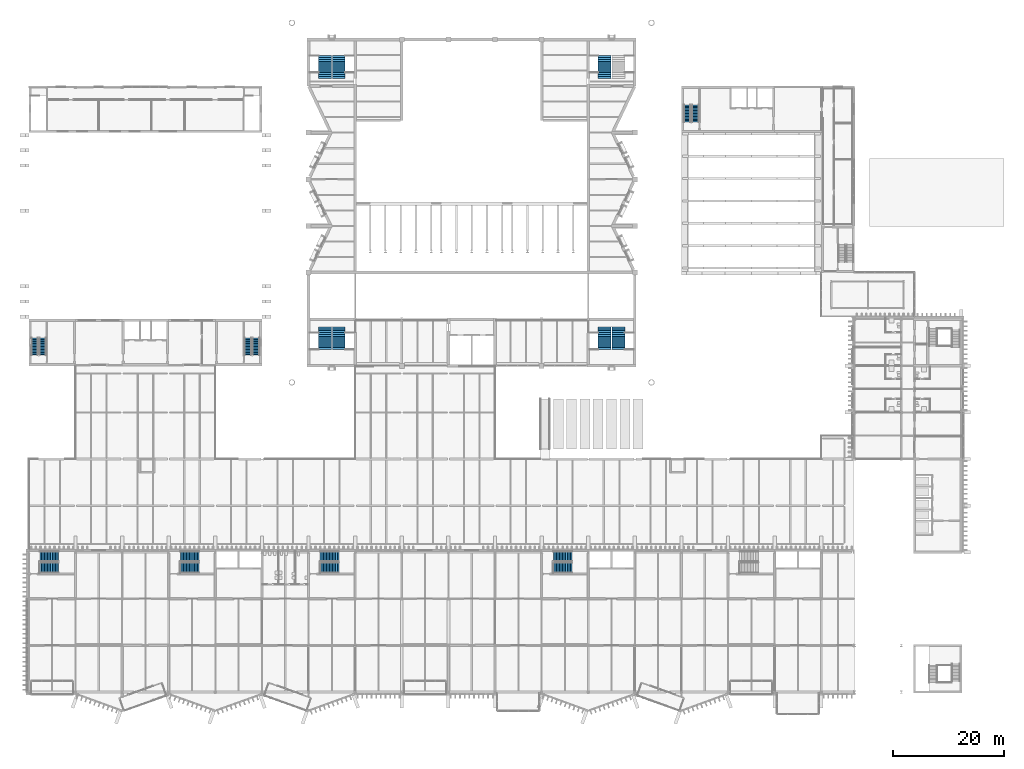
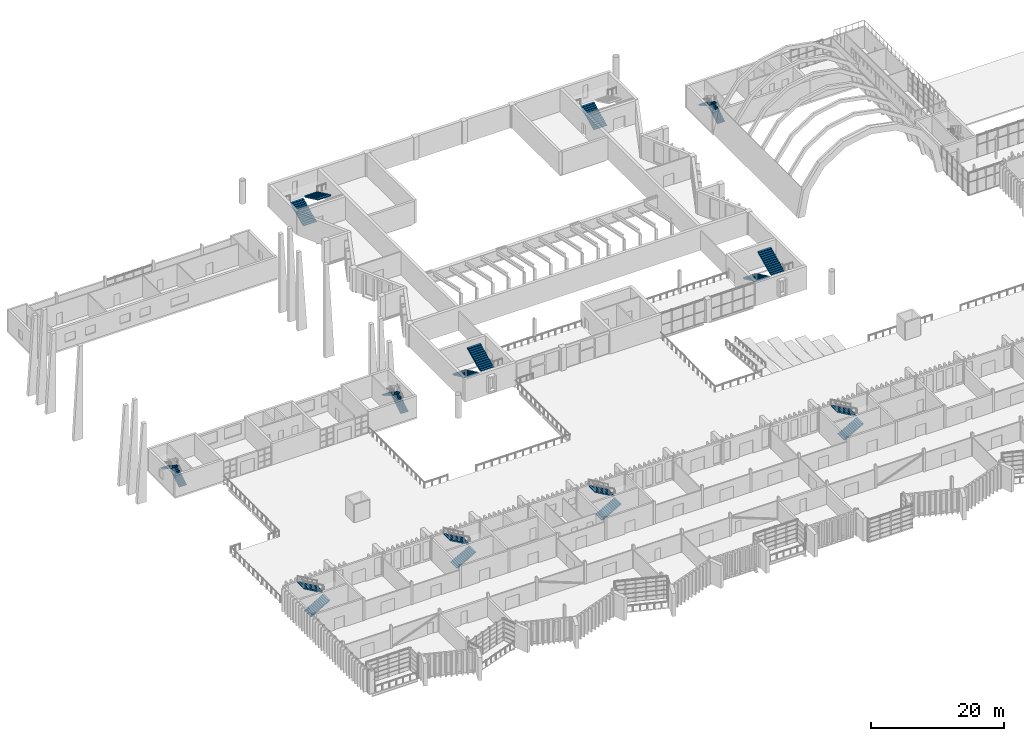
# One storey, part 73 of 96: 21 stair flights, 11 elements without a shape of their own.
"""IFC4 building model written with IfcOpenShell, lengths in metres."""

from ifc_helpers import new_model, si_unit, direction, frame, origin, place, context, subcontext, project, spatial, polyline, outline, extrude, material, type_object, element, aggregate, save


model = new_model("IFC4")

# Units and contexts
model_context = context("Model", 3, precision=1e-05, world=origin(), true_north=direction((0.0, 1.0)))
body_context = subcontext(model_context, "Body", "Model", "MODEL_VIEW")
ifc_project = project(units=[si_unit("LENGTHUNIT", "METRE"), si_unit("AREAUNIT", "SQUARE_METRE"), si_unit("VOLUMEUNIT", "CUBIC_METRE"), si_unit("PLANEANGLEUNIT", "RADIAN"), si_unit("MASSUNIT", "GRAM", prefix="KILO")], contexts=[model_context])

# Site, building, storey
site_placement = place(None, origin())
site = spatial("IfcSite", under=ifc_project, at=site_placement, CompositionType="ELEMENT")
building_placement = place(site_placement, origin())
building = spatial("IfcBuilding", under=site, at=building_placement, Name="Cresset Court Congress Hotel", CompositionType="ELEMENT")
storey_placement = place(building_placement, frame((0.0, 0.0, 6.0)))
storey = spatial("IfcBuildingStorey", under=building, at=storey_placement, Name="L01", CompositionType="ELEMENT", Elevation=6.0)

# Stair, stair flights
ifc_material_1 = material(Name="Concrete C40", Category="concrete")
stair_type_1 = type_object("IfcStairType", Name="Core stair", PredefinedType="STRAIGHT_RUN_STAIR", material=ifc_material_1)
stair_1_placement = place(storey_placement, origin())
stair_1 = element("IfcStair", 1, at=stair_1_placement, inside=storey, type_object=stair_type_1, Name="Stair ST-C1 L01", PredefinedType="STRAIGHT_RUN_STAIR")
ifc_material_2 = material(Name="Concrete C40", Category="concrete")
stair_flight_type_1 = type_object("IfcStairFlightType", Name="Core stair flight", PredefinedType="STRAIGHT", material=ifc_material_2)
stair_flight_1_placement = place(storey_placement, frame((61.75, 65.800048828125, 0.0), z_axis=(0.0, 0.0, 1.0), x_axis=(0.0, -1.0, 0.0)))
stair_flight_1 = element("IfcStairFlight", 2, at=stair_flight_1_placement, type_object=stair_flight_type_1, Name="C-ST flight 1", NumberOfRisers=13, NumberOfTreads=12, PredefinedType="STRAIGHT", RiserHeight=0.161538462, TreadLength=0.34, context=body_context, shape_type="SweptSolid", body=[
    extrude(outline(polyline([(0.0, 0.0), (0.0, 0.16162109375), (0.340087890625, 0.16162109375), (0.340087890625, 0.322998046875), (0.679931640625, 0.322998046875), (0.679931640625, 0.484619140625), (1.02001953125, 0.484619140625), (1.02001953125, 0.646240234375), (1.360107421875, 0.646240234375), (1.360107421875, 0.8076171875), (1.699951171875, 0.8076171875), (1.699951171875, 0.96923828125), (2.0400390625, 0.96923828125), (2.0400390625, 1.130859375), (2.3798828125, 1.130859375), (2.3798828125, 1.292236328125), (2.719970703125, 1.292236328125), (2.719970703125, 1.453857421875), (3.06005859375, 1.453857421875), (3.06005859375, 1.615478515625), (3.39990234375, 1.615478515625), (3.39990234375, 1.77685546875), (3.739990234375, 1.77685546875), (3.739990234375, 1.9384765625), (4.080078125, 1.9384765625), (4.080078125, 2.10009765625), (4.080078125, 1.7724609375), (0.349365234375, 0.0), (0.0, 0.0)])), frame((0.0, 1.14990234375, 0.0), z_axis=(0.0, -1.0, 0.0), x_axis=(1.0, 0.0, 0.0)), (0.0, 0.0, 1.0), 2.300048828125),
])
stair_flight_2_placement = place(storey_placement, frame((64.25, 61.719970703125, 2.10009765625), z_axis=(0.0, 0.0, 1.0), x_axis=(0.0, 1.0, 0.0)))
stair_flight_2 = element("IfcStairFlight", 3, at=stair_flight_2_placement, type_object=stair_flight_type_1, Name="C-ST flight 2", NumberOfRisers=13, NumberOfTreads=12, PredefinedType="STRAIGHT", RiserHeight=0.161538462, TreadLength=0.34, context=body_context, shape_type="SweptSolid", body=[
    extrude(outline(polyline([(0.0, 0.0), (0.0, 0.16162109375), (0.340087890625, 0.16162109375), (0.340087890625, 0.322998046875), (0.679931640625, 0.322998046875), (0.679931640625, 0.484619140625), (1.02001953125, 0.484619140625), (1.02001953125, 0.646240234375), (1.360107421875, 0.646240234375), (1.360107421875, 0.8076171875), (1.699951171875, 0.8076171875), (1.699951171875, 0.96923828125), (2.0400390625, 0.96923828125), (2.0400390625, 1.130859375), (2.3798828125, 1.130859375), (2.3798828125, 1.292236328125), (2.719970703125, 1.292236328125), (2.719970703125, 1.453857421875), (3.06005859375, 1.453857421875), (3.06005859375, 1.615478515625), (3.39990234375, 1.615478515625), (3.39990234375, 1.77685546875), (3.739990234375, 1.77685546875), (3.739990234375, 1.9384765625), (4.080078125, 1.9384765625), (4.080078125, 2.10009765625), (4.080078125, 1.7724609375), (0.349365234375, 0.0), (0.0, 0.0)])), frame((0.0, 1.14990234375, 0.0), z_axis=(0.0, -1.0, 0.0), x_axis=(1.0, 0.0, 0.0)), (0.0, 0.0, 1.0), 2.300048828125),
])
aggregate(stair_1, [stair_flight_1, stair_flight_2])

stair_2_placement = place(storey_placement, origin())
stair_2 = element("IfcStair", 4, at=stair_2_placement, inside=storey, type_object=stair_type_1, Name="Stair ST-C2 L01", PredefinedType="STRAIGHT_RUN_STAIR")
stair_flight_3_placement = place(storey_placement, frame((112.14990234375, 65.800048828125, 0.0), z_axis=(0.0, 0.0, 1.0), x_axis=(0.0, -1.0, 0.0)))
stair_flight_3 = element("IfcStairFlight", 5, at=stair_flight_3_placement, type_object=stair_flight_type_1, Name="C-ST flight 1", NumberOfRisers=13, NumberOfTreads=12, PredefinedType="STRAIGHT", RiserHeight=0.161538462, TreadLength=0.34, context=body_context, shape_type="SweptSolid", body=[
    extrude(outline(polyline([(0.0, 0.0), (0.0, 0.16162109375), (0.340087890625, 0.16162109375), (0.340087890625, 0.322998046875), (0.679931640625, 0.322998046875), (0.679931640625, 0.484619140625), (1.02001953125, 0.484619140625), (1.02001953125, 0.646240234375), (1.360107421875, 0.646240234375), (1.360107421875, 0.8076171875), (1.699951171875, 0.8076171875), (1.699951171875, 0.96923828125), (2.0400390625, 0.96923828125), (2.0400390625, 1.130859375), (2.3798828125, 1.130859375), (2.3798828125, 1.292236328125), (2.719970703125, 1.292236328125), (2.719970703125, 1.453857421875), (3.06005859375, 1.453857421875), (3.06005859375, 1.615478515625), (3.39990234375, 1.615478515625), (3.39990234375, 1.77685546875), (3.739990234375, 1.77685546875), (3.739990234375, 1.9384765625), (4.080078125, 1.9384765625), (4.080078125, 2.10009765625), (4.080078125, 1.7724609375), (0.349365234375, 0.0), (0.0, 0.0)])), frame((0.0, 1.14990234375, 0.0), z_axis=(0.0, -1.0, 0.0), x_axis=(1.0, 0.0, 0.0)), (0.0, 0.0, 1.0), 2.300048828125),
])
stair_flight_4_placement = place(storey_placement, frame((114.64990234375, 61.719970703125, 2.10009765625), z_axis=(0.0, 0.0, 1.0), x_axis=(0.0, 1.0, 0.0)))
stair_flight_4 = element("IfcStairFlight", 6, at=stair_flight_4_placement, type_object=stair_flight_type_1, Name="C-ST flight 2", NumberOfRisers=13, NumberOfTreads=12, PredefinedType="STRAIGHT", RiserHeight=0.161538462, TreadLength=0.34, context=body_context, shape_type="SweptSolid", body=[
    extrude(outline(polyline([(0.0, 0.0), (0.0, 0.16162109375), (0.340087890625, 0.16162109375), (0.340087890625, 0.322998046875), (0.679931640625, 0.322998046875), (0.679931640625, 0.484619140625), (1.02001953125, 0.484619140625), (1.02001953125, 0.646240234375), (1.360107421875, 0.646240234375), (1.360107421875, 0.8076171875), (1.699951171875, 0.8076171875), (1.699951171875, 0.96923828125), (2.0400390625, 0.96923828125), (2.0400390625, 1.130859375), (2.3798828125, 1.130859375), (2.3798828125, 1.292236328125), (2.719970703125, 1.292236328125), (2.719970703125, 1.453857421875), (3.06005859375, 1.453857421875), (3.06005859375, 1.615478515625), (3.39990234375, 1.615478515625), (3.39990234375, 1.77685546875), (3.739990234375, 1.77685546875), (3.739990234375, 1.9384765625), (4.080078125, 1.9384765625), (4.080078125, 2.10009765625), (4.080078125, 1.7724609375), (0.349365234375, 0.0), (0.0, 0.0)])), frame((0.0, 1.14990234375, 0.0), z_axis=(0.0, -1.0, 0.0), x_axis=(1.0, 0.0, 0.0)), (0.0, 0.0, 1.0), 2.300048828125),
])
aggregate(stair_2, [stair_flight_3, stair_flight_4])

stair_3_placement = place(storey_placement, origin())
stair_3 = element("IfcStair", 7, at=stair_3_placement, inside=storey, type_object=stair_type_1, Name="Stair ST-C3 L01", PredefinedType="STRAIGHT_RUN_STAIR")
stair_flight_5_placement = place(storey_placement, frame((61.75, 110.60009765625, 0.0), z_axis=(0.0, 0.0, 1.0), x_axis=(0.0, 1.0, 0.0)))
stair_flight_5 = element("IfcStairFlight", 8, at=stair_flight_5_placement, type_object=stair_flight_type_1, Name="C-ST flight 1", NumberOfRisers=13, NumberOfTreads=12, PredefinedType="STRAIGHT", RiserHeight=0.161538462, TreadLength=0.34, context=body_context, shape_type="SweptSolid", body=[
    extrude(outline(polyline([(0.0, 0.0), (0.0, 0.16162109375), (0.340087890625, 0.16162109375), (0.340087890625, 0.322998046875), (0.679931640625, 0.322998046875), (0.679931640625, 0.484619140625), (1.02001953125, 0.484619140625), (1.02001953125, 0.646240234375), (1.360107421875, 0.646240234375), (1.360107421875, 0.8076171875), (1.699951171875, 0.8076171875), (1.699951171875, 0.96923828125), (2.0400390625, 0.96923828125), (2.0400390625, 1.130859375), (2.3798828125, 1.130859375), (2.3798828125, 1.292236328125), (2.719970703125, 1.292236328125), (2.719970703125, 1.453857421875), (3.06005859375, 1.453857421875), (3.06005859375, 1.615478515625), (3.39990234375, 1.615478515625), (3.39990234375, 1.77685546875), (3.739990234375, 1.77685546875), (3.739990234375, 1.9384765625), (4.080078125, 1.9384765625), (4.080078125, 2.10009765625), (4.080078125, 1.7724609375), (0.349365234375, 0.0), (0.0, 0.0)])), frame((0.0, 1.14990234375, 0.0), z_axis=(0.0, -1.0, 0.0), x_axis=(1.0, 0.0, 0.0)), (0.0, 0.0, 1.0), 2.300048828125),
])
stair_flight_6_placement = place(storey_placement, frame((64.25, 114.679931640625, 2.10009765625), z_axis=(0.0, 0.0, 1.0), x_axis=(0.0, -1.0, 0.0)))
stair_flight_6 = element("IfcStairFlight", 9, at=stair_flight_6_placement, type_object=stair_flight_type_1, Name="C-ST flight 2", NumberOfRisers=13, NumberOfTreads=12, PredefinedType="STRAIGHT", RiserHeight=0.161538462, TreadLength=0.34, context=body_context, shape_type="SweptSolid", body=[
    extrude(outline(polyline([(0.0, 0.0), (0.0, 0.16162109375), (0.340087890625, 0.16162109375), (0.340087890625, 0.322998046875), (0.679931640625, 0.322998046875), (0.679931640625, 0.484619140625), (1.02001953125, 0.484619140625), (1.02001953125, 0.646240234375), (1.360107421875, 0.646240234375), (1.360107421875, 0.8076171875), (1.699951171875, 0.8076171875), (1.699951171875, 0.96923828125), (2.0400390625, 0.96923828125), (2.0400390625, 1.130859375), (2.3798828125, 1.130859375), (2.3798828125, 1.292236328125), (2.719970703125, 1.292236328125), (2.719970703125, 1.453857421875), (3.06005859375, 1.453857421875), (3.06005859375, 1.615478515625), (3.39990234375, 1.615478515625), (3.39990234375, 1.77685546875), (3.739990234375, 1.77685546875), (3.739990234375, 1.9384765625), (4.080078125, 1.9384765625), (4.080078125, 2.10009765625), (4.080078125, 1.7724609375), (0.349365234375, 0.0), (0.0, 0.0)])), frame((0.0, 1.14990234375, 0.0), z_axis=(0.0, -1.0, 0.0), x_axis=(1.0, 0.0, 0.0)), (0.0, 0.0, 1.0), 2.300048828125),
])
aggregate(stair_3, [stair_flight_5, stair_flight_6])

# Stair, stair flight
stair_4_placement = place(storey_placement, origin())
stair_4 = element("IfcStair", 10, at=stair_4_placement, inside=storey, type_object=stair_type_1, Name="Stair ST-C4 L01", PredefinedType="STRAIGHT_RUN_STAIR")
stair_flight_7_placement = place(storey_placement, frame((112.14990234375, 110.60009765625, 0.0), z_axis=(0.0, 0.0, 1.0), x_axis=(0.0, 1.0, 0.0)))
stair_flight_7 = element("IfcStairFlight", 11, at=stair_flight_7_placement, type_object=stair_flight_type_1, Name="C-ST flight 1", NumberOfRisers=13, NumberOfTreads=12, PredefinedType="STRAIGHT", RiserHeight=0.161538462, TreadLength=0.34, context=body_context, shape_type="SweptSolid", body=[
    extrude(outline(polyline([(0.0, 0.0), (0.0, 0.16162109375), (0.340087890625, 0.16162109375), (0.340087890625, 0.322998046875), (0.679931640625, 0.322998046875), (0.679931640625, 0.484619140625), (1.02001953125, 0.484619140625), (1.02001953125, 0.646240234375), (1.360107421875, 0.646240234375), (1.360107421875, 0.8076171875), (1.699951171875, 0.8076171875), (1.699951171875, 0.96923828125), (2.0400390625, 0.96923828125), (2.0400390625, 1.130859375), (2.3798828125, 1.130859375), (2.3798828125, 1.292236328125), (2.719970703125, 1.292236328125), (2.719970703125, 1.453857421875), (3.06005859375, 1.453857421875), (3.06005859375, 1.615478515625), (3.39990234375, 1.615478515625), (3.39990234375, 1.77685546875), (3.739990234375, 1.77685546875), (3.739990234375, 1.9384765625), (4.080078125, 1.9384765625), (4.080078125, 2.10009765625), (4.080078125, 1.7724609375), (0.349365234375, 0.0), (0.0, 0.0)])), frame((0.0, 1.14990234375, 0.0), z_axis=(0.0, -1.0, 0.0), x_axis=(1.0, 0.0, 0.0)), (0.0, 0.0, 1.0), 2.300048828125),
])
aggregate(stair_4, [stair_flight_7])

# Stair, stair flights
ifc_material_3 = material(Name="Half-turn stair 1300")
stair_type_2 = type_object("IfcStairType", Name="Half-turn stair 1300", PredefinedType="HALF_TURN_STAIR", material=ifc_material_3)
stair_5_placement = place(storey_placement, origin())
stair_5 = element("IfcStair", 12, at=stair_5_placement, inside=storey, type_object=stair_type_2, Name="L01 stair", PredefinedType="HALF_TURN_STAIR")
ifc_material_4 = material(Name="Stair flight 1300")
stair_flight_type_2 = type_object("IfcStairFlightType", Name="Stair flight 1300", PredefinedType="STRAIGHT", material=ifc_material_4)
stair_flight_8_placement = place(storey_placement, frame((10.89990234375, 60.699951171875, 0.0), z_axis=(0.0, 0.0, 1.0), x_axis=(0.0, 1.0, 0.0)))
stair_flight_8 = element("IfcStairFlight", 13, at=stair_flight_8_placement, type_object=stair_flight_type_2, Name="ST-D1 flight 1", NumberOfRisers=13, NumberOfTreads=12, PredefinedType="STRAIGHT", RiserHeight=0.161538462, TreadLength=0.26, context=body_context, shape_type="SweptSolid", body=[
    extrude(outline(polyline([(0.0, 0.0), (0.0, 0.16162109375), (0.260009765625, 0.16162109375), (0.260009765625, 0.322998046875), (0.52001953125, 0.322998046875), (0.52001953125, 0.484619140625), (0.780029296875, 0.484619140625), (0.780029296875, 0.646240234375), (1.0400390625, 0.646240234375), (1.0400390625, 0.8076171875), (1.300048828125, 0.8076171875), (1.300048828125, 0.96923828125), (1.56005859375, 0.96923828125), (1.56005859375, 1.130859375), (1.820068359375, 1.130859375), (1.820068359375, 1.292236328125), (2.080078125, 1.292236328125), (2.080078125, 1.453857421875), (2.340087890625, 1.453857421875), (2.340087890625, 1.615478515625), (2.60009765625, 1.615478515625), (2.60009765625, 1.77685546875), (2.860107421875, 1.77685546875), (2.860107421875, 1.9384765625), (3.1201171875, 1.9384765625), (3.1201171875, 2.10009765625), (3.1201171875, 1.761962890625), (0.283935546875, 0.0), (0.0, 0.0)])), frame((0.0, 0.64990234375, 0.0), z_axis=(0.0, -1.0, 0.0), x_axis=(1.0, 0.0, 0.0)), (0.0, 0.0, 1.0), 1.300048828125),
])
stair_flight_9_placement = place(storey_placement, frame((9.449951171875, 63.820068359375, 2.10009765625), z_axis=(0.0, 0.0, 1.0), x_axis=(0.0, -1.0, 0.0)))
stair_flight_9 = element("IfcStairFlight", 14, at=stair_flight_9_placement, type_object=stair_flight_type_2, Name="ST-D1 flight 2", NumberOfRisers=13, NumberOfTreads=12, PredefinedType="STRAIGHT", RiserHeight=0.161538462, TreadLength=0.26, context=body_context, shape_type="SweptSolid", body=[
    extrude(outline(polyline([(0.0, 0.0), (0.0, 0.16162109375), (0.260009765625, 0.16162109375), (0.260009765625, 0.322998046875), (0.52001953125, 0.322998046875), (0.52001953125, 0.484619140625), (0.780029296875, 0.484619140625), (0.780029296875, 0.646240234375), (1.0400390625, 0.646240234375), (1.0400390625, 0.8076171875), (1.300048828125, 0.8076171875), (1.300048828125, 0.96923828125), (1.56005859375, 0.96923828125), (1.56005859375, 1.130859375), (1.820068359375, 1.130859375), (1.820068359375, 1.292236328125), (2.080078125, 1.292236328125), (2.080078125, 1.453857421875), (2.340087890625, 1.453857421875), (2.340087890625, 1.615478515625), (2.60009765625, 1.615478515625), (2.60009765625, 1.77685546875), (2.860107421875, 1.77685546875), (2.860107421875, 1.9384765625), (3.1201171875, 1.9384765625), (3.1201171875, 2.10009765625), (3.1201171875, 1.761962890625), (0.283935546875, 0.0), (0.0, 0.0)])), frame((0.0, 0.64990234375, 0.0), z_axis=(0.0, -1.0, 0.0), x_axis=(1.0, 0.0, 0.0)), (0.0, 0.0, 1.0), 1.300048828125),
])
aggregate(stair_5, [stair_flight_8, stair_flight_9])

stair_6_placement = place(storey_placement, origin())
stair_6 = element("IfcStair", 15, at=stair_6_placement, inside=storey, type_object=stair_type_2, Name="L01 stair", PredefinedType="HALF_TURN_STAIR")
stair_flight_10_placement = place(storey_placement, frame((49.35009765625, 60.699951171875, 0.0), z_axis=(0.0, 0.0, 1.0), x_axis=(0.0, 1.0, 0.0)))
stair_flight_10 = element("IfcStairFlight", 16, at=stair_flight_10_placement, type_object=stair_flight_type_2, Name="ST-D2 flight 1", NumberOfRisers=13, NumberOfTreads=12, PredefinedType="STRAIGHT", RiserHeight=0.161538462, TreadLength=0.26, context=body_context, shape_type="SweptSolid", body=[
    extrude(outline(polyline([(0.0, 0.0), (0.0, 0.16162109375), (0.260009765625, 0.16162109375), (0.260009765625, 0.322998046875), (0.52001953125, 0.322998046875), (0.52001953125, 0.484619140625), (0.780029296875, 0.484619140625), (0.780029296875, 0.646240234375), (1.0400390625, 0.646240234375), (1.0400390625, 0.8076171875), (1.300048828125, 0.8076171875), (1.300048828125, 0.96923828125), (1.56005859375, 0.96923828125), (1.56005859375, 1.130859375), (1.820068359375, 1.130859375), (1.820068359375, 1.292236328125), (2.080078125, 1.292236328125), (2.080078125, 1.453857421875), (2.340087890625, 1.453857421875), (2.340087890625, 1.615478515625), (2.60009765625, 1.615478515625), (2.60009765625, 1.77685546875), (2.860107421875, 1.77685546875), (2.860107421875, 1.9384765625), (3.1201171875, 1.9384765625), (3.1201171875, 2.10009765625), (3.1201171875, 1.761962890625), (0.283935546875, 0.0), (0.0, 0.0)])), frame((0.0, 0.64990234375, 0.0), z_axis=(0.0, -1.0, 0.0), x_axis=(1.0, 0.0, 0.0)), (0.0, 0.0, 1.0), 1.300048828125),
])
stair_flight_11_placement = place(storey_placement, frame((47.89990234375, 63.820068359375, 2.10009765625), z_axis=(0.0, 0.0, 1.0), x_axis=(0.0, -1.0, 0.0)))
stair_flight_11 = element("IfcStairFlight", 17, at=stair_flight_11_placement, type_object=stair_flight_type_2, Name="ST-D2 flight 2", NumberOfRisers=13, NumberOfTreads=12, PredefinedType="STRAIGHT", RiserHeight=0.161538462, TreadLength=0.26, context=body_context, shape_type="SweptSolid", body=[
    extrude(outline(polyline([(0.0, 0.0), (0.0, 0.16162109375), (0.260009765625, 0.16162109375), (0.260009765625, 0.322998046875), (0.52001953125, 0.322998046875), (0.52001953125, 0.484619140625), (0.780029296875, 0.484619140625), (0.780029296875, 0.646240234375), (1.0400390625, 0.646240234375), (1.0400390625, 0.8076171875), (1.300048828125, 0.8076171875), (1.300048828125, 0.96923828125), (1.56005859375, 0.96923828125), (1.56005859375, 1.130859375), (1.820068359375, 1.130859375), (1.820068359375, 1.292236328125), (2.080078125, 1.292236328125), (2.080078125, 1.453857421875), (2.340087890625, 1.453857421875), (2.340087890625, 1.615478515625), (2.60009765625, 1.615478515625), (2.60009765625, 1.77685546875), (2.860107421875, 1.77685546875), (2.860107421875, 1.9384765625), (3.1201171875, 1.9384765625), (3.1201171875, 2.10009765625), (3.1201171875, 1.761962890625), (0.283935546875, 0.0), (0.0, 0.0)])), frame((0.0, 0.64990234375, 0.0), z_axis=(0.0, -1.0, 0.0), x_axis=(1.0, 0.0, 0.0)), (0.0, 0.0, 1.0), 1.300048828125),
])
aggregate(stair_6, [stair_flight_10, stair_flight_11])

stair_7_placement = place(storey_placement, origin())
stair_7 = element("IfcStair", 18, at=stair_7_placement, inside=storey, type_object=stair_type_2, Name="L01 stair", PredefinedType="HALF_TURN_STAIR")
stair_flight_12_placement = place(storey_placement, frame((128.5, 102.699951171875, 0.0), z_axis=(0.0, 0.0, 1.0), x_axis=(0.0, 1.0, 0.0)))
stair_flight_12 = element("IfcStairFlight", 19, at=stair_flight_12_placement, type_object=stair_flight_type_2, Name="ST-E1 flight 1", NumberOfRisers=13, NumberOfTreads=12, PredefinedType="STRAIGHT", RiserHeight=0.161538462, TreadLength=0.26, context=body_context, shape_type="SweptSolid", body=[
    extrude(outline(polyline([(0.0, 0.0), (0.0, 0.16162109375), (0.260009765625, 0.16162109375), (0.260009765625, 0.322998046875), (0.52001953125, 0.322998046875), (0.52001953125, 0.484619140625), (0.780029296875, 0.484619140625), (0.780029296875, 0.646240234375), (1.0400390625, 0.646240234375), (1.0400390625, 0.8076171875), (1.300048828125, 0.8076171875), (1.300048828125, 0.96923828125), (1.56005859375, 0.96923828125), (1.56005859375, 1.130859375), (1.820068359375, 1.130859375), (1.820068359375, 1.292236328125), (2.080078125, 1.292236328125), (2.080078125, 1.453857421875), (2.340087890625, 1.453857421875), (2.340087890625, 1.615478515625), (2.60009765625, 1.615478515625), (2.60009765625, 1.77685546875), (2.860107421875, 1.77685546875), (2.860107421875, 1.9384765625), (3.1201171875, 1.9384765625), (3.1201171875, 2.10009765625), (3.1201171875, 1.761962890625), (0.283935546875, 0.0), (0.0, 0.0)])), frame((0.0, 0.64990234375, 0.0), z_axis=(0.0, -1.0, 0.0), x_axis=(1.0, 0.0, 0.0)), (0.0, 0.0, 1.0), 1.300048828125),
])
stair_flight_13_placement = place(storey_placement, frame((127.050048828125, 105.820068359375, 2.10009765625), z_axis=(0.0, 0.0, 1.0), x_axis=(0.0, -1.0, 0.0)))
stair_flight_13 = element("IfcStairFlight", 20, at=stair_flight_13_placement, type_object=stair_flight_type_2, Name="ST-E1 flight 2", NumberOfRisers=13, NumberOfTreads=12, PredefinedType="STRAIGHT", RiserHeight=0.161538462, TreadLength=0.26, context=body_context, shape_type="SweptSolid", body=[
    extrude(outline(polyline([(0.0, 0.0), (0.0, 0.16162109375), (0.260009765625, 0.16162109375), (0.260009765625, 0.322998046875), (0.52001953125, 0.322998046875), (0.52001953125, 0.484619140625), (0.780029296875, 0.484619140625), (0.780029296875, 0.646240234375), (1.0400390625, 0.646240234375), (1.0400390625, 0.8076171875), (1.300048828125, 0.8076171875), (1.300048828125, 0.96923828125), (1.56005859375, 0.96923828125), (1.56005859375, 1.130859375), (1.820068359375, 1.130859375), (1.820068359375, 1.292236328125), (2.080078125, 1.292236328125), (2.080078125, 1.453857421875), (2.340087890625, 1.453857421875), (2.340087890625, 1.615478515625), (2.60009765625, 1.615478515625), (2.60009765625, 1.77685546875), (2.860107421875, 1.77685546875), (2.860107421875, 1.9384765625), (3.1201171875, 1.9384765625), (3.1201171875, 2.10009765625), (3.1201171875, 1.761962890625), (0.283935546875, 0.0), (0.0, 0.0)])), frame((0.0, 0.64990234375, 0.0), z_axis=(0.0, -1.0, 0.0), x_axis=(1.0, 0.0, 0.0)), (0.0, 0.0, 1.0), 1.300048828125),
])
aggregate(stair_7, [stair_flight_12, stair_flight_13])

ifc_material_5 = material(Name="Concrete C40", Category="concrete")
stair_type_3 = type_object("IfcStairType", Name="Dog-leg stair 1400 flights", PredefinedType="HALF_TURN_STAIR", material=ifc_material_5)
stair_8_placement = place(storey_placement, origin())
stair_8 = element("IfcStair", 21, at=stair_8_placement, inside=storey, type_object=stair_type_3, Name="L01 Stair ST-B1", PredefinedType="HALF_TURN_STAIR")
ifc_material_6 = material(Name="Concrete C40", Category="concrete")
stair_flight_type_3 = type_object("IfcStairFlightType", Name="Stair flight 1400", PredefinedType="STRAIGHT", material=ifc_material_6)
stair_flight_14_placement = place(storey_placement, frame((10.3798828125, 22.39990234375, 0.0), z_axis=(0.0, 0.0, 1.0), x_axis=(1.0, 0.0, 0.0)))
stair_flight_14 = element("IfcStairFlight", 22, at=stair_flight_14_placement, type_object=stair_flight_type_3, Name="ST-B1 flight 1", NumberOfRisers=13, NumberOfTreads=12, PredefinedType="STRAIGHT", RiserHeight=0.161538462, TreadLength=0.28, context=body_context, shape_type="SweptSolid", body=[
    extrude(outline(polyline([(0.0, 0.0), (0.0, 0.16162109375), (0.280029296875, 0.16162109375), (0.280029296875, 0.322998046875), (0.56005859375, 0.322998046875), (0.56005859375, 0.484619140625), (0.840087890625, 0.484619140625), (0.840087890625, 0.646240234375), (1.1201171875, 0.646240234375), (1.1201171875, 0.8076171875), (1.39990234375, 0.8076171875), (1.39990234375, 0.96923828125), (1.679931640625, 0.96923828125), (1.679931640625, 1.130859375), (1.9599609375, 1.130859375), (1.9599609375, 1.292236328125), (2.239990234375, 1.292236328125), (2.239990234375, 1.453857421875), (2.52001953125, 1.453857421875), (2.52001953125, 1.615478515625), (2.800048828125, 1.615478515625), (2.800048828125, 1.77685546875), (3.080078125, 1.77685546875), (3.080078125, 1.9384765625), (3.360107421875, 1.9384765625), (3.360107421875, 2.10009765625), (3.360107421875, 1.765380859375), (0.300048828125, 0.0), (0.0, 0.0)])), frame((0.0, 0.949951171875, 0.0), z_axis=(0.0, -1.0, 0.0), x_axis=(1.0, 0.0, 0.0)), (0.0, 0.0, 1.0), 1.89990234375),
])
stair_flight_15_placement = place(storey_placement, frame((13.739990234375, 24.449951171875, 2.10009765625), z_axis=(0.0, 0.0, 1.0), x_axis=(-1.0, 0.0, 0.0)))
stair_flight_15 = element("IfcStairFlight", 23, at=stair_flight_15_placement, type_object=stair_flight_type_3, Name="ST-B1 flight 2", NumberOfRisers=13, NumberOfTreads=12, PredefinedType="STRAIGHT", RiserHeight=0.161538462, TreadLength=0.28, context=body_context, shape_type="SweptSolid", body=[
    extrude(outline(polyline([(0.0, 0.0), (0.0, 0.16162109375), (0.280029296875, 0.16162109375), (0.280029296875, 0.322998046875), (0.56005859375, 0.322998046875), (0.56005859375, 0.484619140625), (0.840087890625, 0.484619140625), (0.840087890625, 0.646240234375), (1.1201171875, 0.646240234375), (1.1201171875, 0.8076171875), (1.39990234375, 0.8076171875), (1.39990234375, 0.96923828125), (1.679931640625, 0.96923828125), (1.679931640625, 1.130859375), (1.9599609375, 1.130859375), (1.9599609375, 1.292236328125), (2.239990234375, 1.292236328125), (2.239990234375, 1.453857421875), (2.52001953125, 1.453857421875), (2.52001953125, 1.615478515625), (2.800048828125, 1.615478515625), (2.800048828125, 1.77685546875), (3.080078125, 1.77685546875), (3.080078125, 1.9384765625), (3.360107421875, 1.9384765625), (3.360107421875, 2.10009765625), (3.360107421875, 1.765380859375), (0.300048828125, 0.0), (0.0, 0.0)])), frame((0.0, 0.949951171875, 0.0), z_axis=(0.0, -1.0, 0.0), x_axis=(1.0, 0.0, 0.0)), (0.0, 0.0, 1.0), 1.89990234375),
])
aggregate(stair_8, [stair_flight_14, stair_flight_15])

stair_9_placement = place(storey_placement, origin())
stair_9 = element("IfcStair", 24, at=stair_9_placement, inside=storey, type_object=stair_type_3, Name="L01 Stair ST-B2", PredefinedType="HALF_TURN_STAIR")
stair_flight_16_placement = place(storey_placement, frame((35.699951171875, 22.39990234375, 0.0), z_axis=(0.0, 0.0, 1.0), x_axis=(1.0, 0.0, 0.0)))
stair_flight_16 = element("IfcStairFlight", 25, at=stair_flight_16_placement, type_object=stair_flight_type_3, Name="ST-B2 flight 1", NumberOfRisers=13, NumberOfTreads=12, PredefinedType="STRAIGHT", RiserHeight=0.161538462, TreadLength=0.28, context=body_context, shape_type="SweptSolid", body=[
    extrude(outline(polyline([(0.0, 0.0), (0.0, 0.16162109375), (0.280029296875, 0.16162109375), (0.280029296875, 0.322998046875), (0.56005859375, 0.322998046875), (0.56005859375, 0.484619140625), (0.840087890625, 0.484619140625), (0.840087890625, 0.646240234375), (1.1201171875, 0.646240234375), (1.1201171875, 0.8076171875), (1.39990234375, 0.8076171875), (1.39990234375, 0.96923828125), (1.679931640625, 0.96923828125), (1.679931640625, 1.130859375), (1.9599609375, 1.130859375), (1.9599609375, 1.292236328125), (2.239990234375, 1.292236328125), (2.239990234375, 1.453857421875), (2.52001953125, 1.453857421875), (2.52001953125, 1.615478515625), (2.800048828125, 1.615478515625), (2.800048828125, 1.77685546875), (3.080078125, 1.77685546875), (3.080078125, 1.9384765625), (3.360107421875, 1.9384765625), (3.360107421875, 2.10009765625), (3.360107421875, 1.765380859375), (0.300048828125, 0.0), (0.0, 0.0)])), frame((0.0, 0.949951171875, 0.0), z_axis=(0.0, -1.0, 0.0), x_axis=(1.0, 0.0, 0.0)), (0.0, 0.0, 1.0), 1.89990234375),
])
stair_flight_17_placement = place(storey_placement, frame((39.06005859375, 24.449951171875, 2.10009765625), z_axis=(0.0, 0.0, 1.0), x_axis=(-1.0, 0.0, 0.0)))
stair_flight_17 = element("IfcStairFlight", 26, at=stair_flight_17_placement, type_object=stair_flight_type_3, Name="ST-B2 flight 2", NumberOfRisers=13, NumberOfTreads=12, PredefinedType="STRAIGHT", RiserHeight=0.161538462, TreadLength=0.28, context=body_context, shape_type="SweptSolid", body=[
    extrude(outline(polyline([(0.0, 0.0), (0.0, 0.16162109375), (0.280029296875, 0.16162109375), (0.280029296875, 0.322998046875), (0.56005859375, 0.322998046875), (0.56005859375, 0.484619140625), (0.840087890625, 0.484619140625), (0.840087890625, 0.646240234375), (1.1201171875, 0.646240234375), (1.1201171875, 0.8076171875), (1.39990234375, 0.8076171875), (1.39990234375, 0.96923828125), (1.679931640625, 0.96923828125), (1.679931640625, 1.130859375), (1.9599609375, 1.130859375), (1.9599609375, 1.292236328125), (2.239990234375, 1.292236328125), (2.239990234375, 1.453857421875), (2.52001953125, 1.453857421875), (2.52001953125, 1.615478515625), (2.800048828125, 1.615478515625), (2.800048828125, 1.77685546875), (3.080078125, 1.77685546875), (3.080078125, 1.9384765625), (3.360107421875, 1.9384765625), (3.360107421875, 2.10009765625), (3.360107421875, 1.765380859375), (0.300048828125, 0.0), (0.0, 0.0)])), frame((0.0, 0.949951171875, 0.0), z_axis=(0.0, -1.0, 0.0), x_axis=(1.0, 0.0, 0.0)), (0.0, 0.0, 1.0), 1.89990234375),
])
aggregate(stair_9, [stair_flight_16, stair_flight_17])

stair_10_placement = place(storey_placement, origin())
stair_10 = element("IfcStair", 27, at=stair_10_placement, inside=storey, type_object=stair_type_3, Name="L01 Stair ST-B3", PredefinedType="HALF_TURN_STAIR")
stair_flight_18_placement = place(storey_placement, frame((60.89990234375, 22.39990234375, 0.0), z_axis=(0.0, 0.0, 1.0), x_axis=(1.0, 0.0, 0.0)))
stair_flight_18 = element("IfcStairFlight", 28, at=stair_flight_18_placement, type_object=stair_flight_type_3, Name="ST-B3 flight 1", NumberOfRisers=13, NumberOfTreads=12, PredefinedType="STRAIGHT", RiserHeight=0.161538462, TreadLength=0.28, context=body_context, shape_type="SweptSolid", body=[
    extrude(outline(polyline([(0.0, 0.0), (0.0, 0.16162109375), (0.280029296875, 0.16162109375), (0.280029296875, 0.322998046875), (0.56005859375, 0.322998046875), (0.56005859375, 0.484619140625), (0.840087890625, 0.484619140625), (0.840087890625, 0.646240234375), (1.1201171875, 0.646240234375), (1.1201171875, 0.8076171875), (1.39990234375, 0.8076171875), (1.39990234375, 0.96923828125), (1.679931640625, 0.96923828125), (1.679931640625, 1.130859375), (1.9599609375, 1.130859375), (1.9599609375, 1.292236328125), (2.239990234375, 1.292236328125), (2.239990234375, 1.453857421875), (2.52001953125, 1.453857421875), (2.52001953125, 1.615478515625), (2.800048828125, 1.615478515625), (2.800048828125, 1.77685546875), (3.080078125, 1.77685546875), (3.080078125, 1.9384765625), (3.360107421875, 1.9384765625), (3.360107421875, 2.10009765625), (3.360107421875, 1.765380859375), (0.300048828125, 0.0), (0.0, 0.0)])), frame((0.0, 0.949951171875, 0.0), z_axis=(0.0, -1.0, 0.0), x_axis=(1.0, 0.0, 0.0)), (0.0, 0.0, 1.0), 1.89990234375),
])
stair_flight_19_placement = place(storey_placement, frame((64.260009765625, 24.449951171875, 2.10009765625), z_axis=(0.0, 0.0, 1.0), x_axis=(-1.0, 0.0, 0.0)))
stair_flight_19 = element("IfcStairFlight", 29, at=stair_flight_19_placement, type_object=stair_flight_type_3, Name="ST-B3 flight 2", NumberOfRisers=13, NumberOfTreads=12, PredefinedType="STRAIGHT", RiserHeight=0.161538462, TreadLength=0.28, context=body_context, shape_type="SweptSolid", body=[
    extrude(outline(polyline([(0.0, 0.0), (0.0, 0.16162109375), (0.280029296875, 0.16162109375), (0.280029296875, 0.322998046875), (0.56005859375, 0.322998046875), (0.56005859375, 0.484619140625), (0.840087890625, 0.484619140625), (0.840087890625, 0.646240234375), (1.1201171875, 0.646240234375), (1.1201171875, 0.8076171875), (1.39990234375, 0.8076171875), (1.39990234375, 0.96923828125), (1.679931640625, 0.96923828125), (1.679931640625, 1.130859375), (1.9599609375, 1.130859375), (1.9599609375, 1.292236328125), (2.239990234375, 1.292236328125), (2.239990234375, 1.453857421875), (2.52001953125, 1.453857421875), (2.52001953125, 1.615478515625), (2.800048828125, 1.615478515625), (2.800048828125, 1.77685546875), (3.080078125, 1.77685546875), (3.080078125, 1.9384765625), (3.360107421875, 1.9384765625), (3.360107421875, 2.10009765625), (3.360107421875, 1.765380859375), (0.300048828125, 0.0), (0.0, 0.0)])), frame((0.0, 0.949951171875, 0.0), z_axis=(0.0, -1.0, 0.0), x_axis=(1.0, 0.0, 0.0)), (0.0, 0.0, 1.0), 1.89990234375),
])
aggregate(stair_10, [stair_flight_18, stair_flight_19])

stair_11_placement = place(storey_placement, origin())
stair_11 = element("IfcStair", 30, at=stair_11_placement, inside=storey, type_object=stair_type_3, Name="L01 Stair ST-B4", PredefinedType="HALF_TURN_STAIR")
stair_flight_20_placement = place(storey_placement, frame((102.89990234375, 22.39990234375, 0.0), z_axis=(0.0, 0.0, 1.0), x_axis=(1.0, 0.0, 0.0)))
stair_flight_20 = element("IfcStairFlight", 31, at=stair_flight_20_placement, type_object=stair_flight_type_3, Name="ST-B4 flight 1", NumberOfRisers=13, NumberOfTreads=12, PredefinedType="STRAIGHT", RiserHeight=0.161538462, TreadLength=0.28, context=body_context, shape_type="SweptSolid", body=[
    extrude(outline(polyline([(0.0, 0.0), (0.0, 0.16162109375), (0.280029296875, 0.16162109375), (0.280029296875, 0.322998046875), (0.56005859375, 0.322998046875), (0.56005859375, 0.484619140625), (0.840087890625, 0.484619140625), (0.840087890625, 0.646240234375), (1.1201171875, 0.646240234375), (1.1201171875, 0.8076171875), (1.39990234375, 0.8076171875), (1.39990234375, 0.96923828125), (1.679931640625, 0.96923828125), (1.679931640625, 1.130859375), (1.9599609375, 1.130859375), (1.9599609375, 1.292236328125), (2.239990234375, 1.292236328125), (2.239990234375, 1.453857421875), (2.52001953125, 1.453857421875), (2.52001953125, 1.615478515625), (2.800048828125, 1.615478515625), (2.800048828125, 1.77685546875), (3.080078125, 1.77685546875), (3.080078125, 1.9384765625), (3.360107421875, 1.9384765625), (3.360107421875, 2.10009765625), (3.360107421875, 1.765380859375), (0.300048828125, 0.0), (0.0, 0.0)])), frame((0.0, 0.949951171875, 0.0), z_axis=(0.0, -1.0, 0.0), x_axis=(1.0, 0.0, 0.0)), (0.0, 0.0, 1.0), 1.89990234375),
])
stair_flight_21_placement = place(storey_placement, frame((106.260009765625, 24.449951171875, 2.10009765625), z_axis=(0.0, 0.0, 1.0), x_axis=(-1.0, 0.0, 0.0)))
stair_flight_21 = element("IfcStairFlight", 32, at=stair_flight_21_placement, type_object=stair_flight_type_3, Name="ST-B4 flight 2", NumberOfRisers=13, NumberOfTreads=12, PredefinedType="STRAIGHT", RiserHeight=0.161538462, TreadLength=0.28, context=body_context, shape_type="SweptSolid", body=[
    extrude(outline(polyline([(0.0, 0.0), (0.0, 0.16162109375), (0.280029296875, 0.16162109375), (0.280029296875, 0.322998046875), (0.56005859375, 0.322998046875), (0.56005859375, 0.484619140625), (0.840087890625, 0.484619140625), (0.840087890625, 0.646240234375), (1.1201171875, 0.646240234375), (1.1201171875, 0.8076171875), (1.39990234375, 0.8076171875), (1.39990234375, 0.96923828125), (1.679931640625, 0.96923828125), (1.679931640625, 1.130859375), (1.9599609375, 1.130859375), (1.9599609375, 1.292236328125), (2.239990234375, 1.292236328125), (2.239990234375, 1.453857421875), (2.52001953125, 1.453857421875), (2.52001953125, 1.615478515625), (2.800048828125, 1.615478515625), (2.800048828125, 1.77685546875), (3.080078125, 1.77685546875), (3.080078125, 1.9384765625), (3.360107421875, 1.9384765625), (3.360107421875, 2.10009765625), (3.360107421875, 1.765380859375), (0.300048828125, 0.0), (0.0, 0.0)])), frame((0.0, 0.949951171875, 0.0), z_axis=(0.0, -1.0, 0.0), x_axis=(1.0, 0.0, 0.0)), (0.0, 0.0, 1.0), 1.89990234375),
])
aggregate(stair_11, [stair_flight_20, stair_flight_21])

save(model, "model.ifc")
